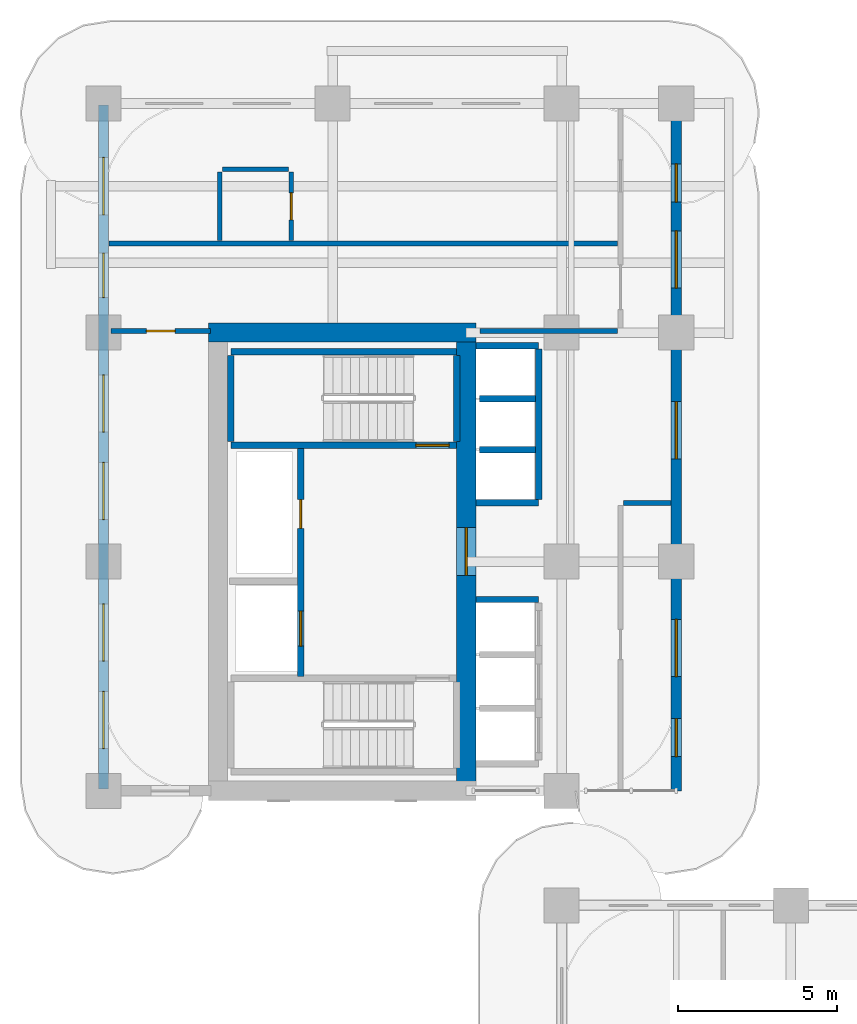
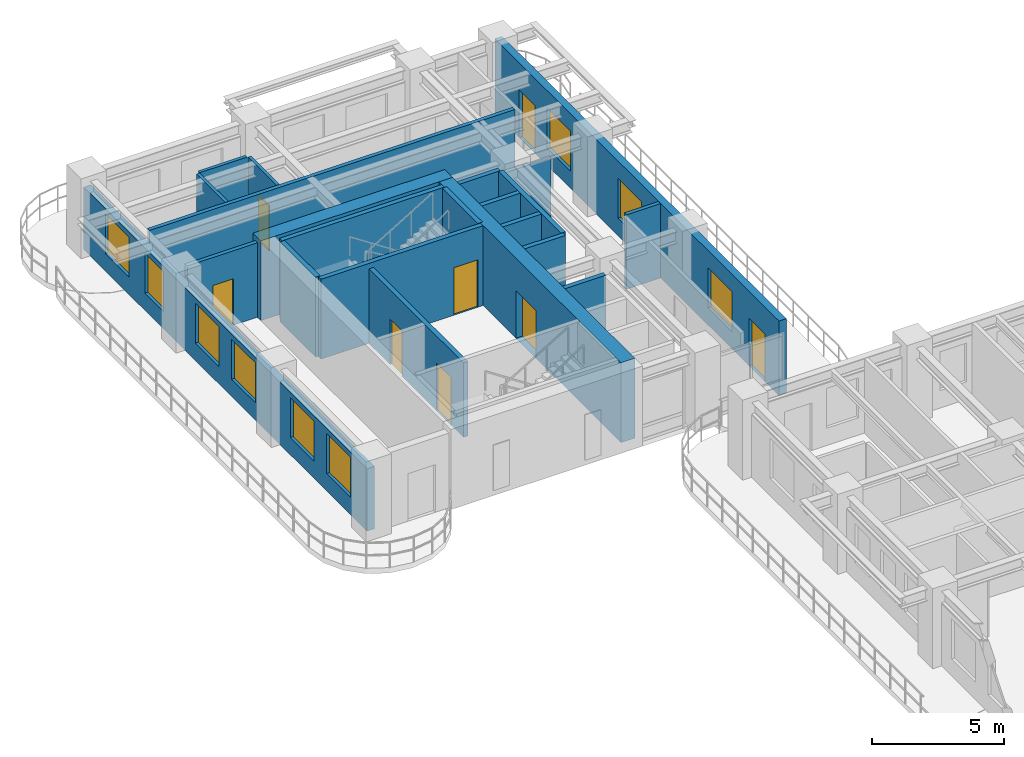
# One storey, part 11 of 19: 22 walls, 9 windows, 8 doors, 17 openings.
"""IFC4 building model written with IfcOpenShell, lengths in metres."""

from ifc_helpers import new_model, si_unit, derived_unit, direction, frame, frame_2d, origin, place, context, subcontext, project, spatial, rectangle, extrude, source, transform, mapped, material, layer, layer_set, type_object, type_shapes, element, fill, save


model = new_model("IFC4")

# Units and contexts
model_context = context("Model", 3, precision=1e-05, world=origin(), true_north=direction((0.0, 1.0)))
body_context = subcontext(model_context, "Body", "Model", "MODEL_VIEW")
ifc_project = project(units=[si_unit("LENGTHUNIT", "METRE"), si_unit("AREAUNIT", "SQUARE_METRE"), si_unit("VOLUMEUNIT", "CUBIC_METRE"), si_unit("PLANEANGLEUNIT", "RADIAN"), si_unit("MASSUNIT", "GRAM", prefix="KILO"), si_unit("THERMODYNAMICTEMPERATUREUNIT", "KELVIN"), si_unit("POWERUNIT", "WATT"), derived_unit("THERMALTRANSMITTANCEUNIT", [(si_unit("POWERUNIT", "WATT"), 1), (si_unit("AREAUNIT", "SQUARE_METRE"), -1), (si_unit("THERMODYNAMICTEMPERATUREUNIT", "KELVIN"), -1)])], contexts=[model_context])

# Site, building, storey
site_placement = place(None, origin())
site = spatial("IfcSite", under=ifc_project, at=site_placement, CompositionType="ELEMENT")
building_placement = place(site_placement, origin())
building = spatial("IfcBuilding", under=site, at=building_placement, Name="Zahravan Archway Hotel and Residences", CompositionType="ELEMENT")
storey_placement = place(building_placement, frame((0.0, 0.0, 47.199951171875)))
storey = spatial("IfcBuildingStorey", under=building, at=storey_placement, Name="L10", CompositionType="ELEMENT", Elevation=47.199951171875)

# Wall
ifc_material_1 = material(Name="Concrete C70/85", Category="concrete")
ifc_layer_1 = layer(ifc_material_1, 0.60009765625, Name="Concrete C70/85", Category="concrete")
ifc_layer_set_1 = layer_set([ifc_layer_1], Name="Concrete C70/85")
wall_type_1 = type_object("IfcWallType", Name="CW-CORE-600", PredefinedType="SHEAR", material=ifc_layer_set_1)
wall_1_placement = place(storey_placement, frame((3.300048828125, 39.60009765625, 0.0), z_axis=(0.0, 0.0, 1.0), x_axis=(1.0, 0.0, 0.0)))
element("IfcWall", 1, at=wall_1_placement, inside=storey, type_object=wall_type_1, Name="L10 Core B Shear N Wall 600 mm", PredefinedType="SHEAR", context=body_context, shape_type="SweptSolid", body=[
    extrude(rectangle(XDim=8.39990234375, YDim=0.60009765625, at=frame_2d((4.199951171875, 0.0))), origin(), (0.0, 0.0, 1.0), 3.699951171875),
])

# Wall, opening, door
wall_2_placement = place(storey_placement, frame((11.39990234375, 25.5, 0.0), z_axis=(0.0, 0.0, 1.0), x_axis=(0.0, 1.0, 0.0)))
wall_2 = element("IfcWall", 2, at=wall_2_placement, inside=storey, type_object=wall_type_1, Name="L10 Core B Shear E Wall 600 mm", PredefinedType="SHEAR", context=body_context, shape_type="SweptSolid", body=[
    extrude(rectangle(XDim=13.800048828125, YDim=0.60009765625, at=frame_2d((6.89990234375, 0.0))), origin(), (0.0, 0.0, 1.0), 3.699951171875),
])
opening_1_placement = place(wall_2_placement, frame((6.469970703125, 0.0, 0.0)))
opening_1 = element("IfcOpeningElement", 3, at=opening_1_placement, cuts=wall_2, Name="Opening FD-L1", PredefinedType="OPENING", context=body_context, shape_type="SweptSolid", body=[
    extrude(rectangle(XDim=1.5, YDim=2.199951171875, at=frame_2d((0.75, 1.10009765625))), frame((0.0, 0.31005859375, 0.0), z_axis=(0.0, -1.0, 0.0), x_axis=(1.0, 0.0, 0.0)), (0.0, 0.0, 1.0), 0.6201171875),
])
ifc_material_2 = material(Name="Fire-Rated Painted Steel", Category="steel")
door_type_1 = type_object("IfcDoorType", Name="FD-LOBBY-1500", OperationType="DOUBLE_DOOR_SINGLE_SWING", PredefinedType="DOOR", material=ifc_material_2)
shared_shape_1 = source(origin(), body_context, "Body", "SweptSolid", [
    extrude(rectangle(XDim=1.5, YDim=2.199951171875, at=frame_2d((0.75, 1.10009765625))), frame((0.0, 0.02490234375, 0.0), z_axis=(0.0, -1.0, 0.0), x_axis=(1.0, 0.0, 0.0)), (0.0, 0.0, 1.0), 0.050048828125),
])
type_shapes(door_type_1, [shared_shape_1])
door_1_placement = place(opening_1_placement, origin())
door_1 = element("IfcDoor", 4, at=door_1_placement, inside=storey, type_object=door_type_1, Name="L10 Core B FSAE Lobby Door", OperationType="DOUBLE_DOOR_SINGLE_SWING", OverallHeight=2.199951171875, OverallWidth=1.5, PredefinedType="DOOR", context=body_context, shape_type="MappedRepresentation", body=[
    mapped(shared_shape_1, transform((0.0, 0.0, 0.0), scale=1.0)),
])
fill(opening_1, door_1)

# Wall, openings, doors, windows
ifc_material_3 = material(Name="Agra Buff Sandstone & Insulated Backup", Category="masonry")
ifc_layer_2 = layer(ifc_material_3, 0.320068359375, Name="Agra Buff Sandstone & Insulated Backup", Category="masonry")
ifc_layer_set_2 = layer_set([ifc_layer_2], Name="Agra Buff Sandstone & Insulated Backup")
wall_type_2 = type_object("IfcWallType", Name="EW-SAND-320", PredefinedType="SOLIDWALL", material=ifc_layer_set_2)
wall_3_placement = place(storey_placement, frame((18.0, 25.199951171875, 0.0), z_axis=(0.0, 0.0, 1.0), x_axis=(0.0, 1.0, 0.0)))
wall_3 = element("IfcWall", 5, at=wall_3_placement, inside=storey, type_object=wall_type_2, Name="L10 Exterior Sandstone Wall WB-E", PredefinedType="SOLIDWALL", context=body_context, shape_type="SweptSolid", body=[
    extrude(rectangle(XDim=21.550048828125, YDim=0.320068359375, at=frame_2d((10.77490234375, 0.0))), origin(), (0.0, 0.0, 1.0), 3.449951171875),
])
opening_2_placement = place(wall_3_placement, frame((18.5, 0.0, 0.0)))
opening_2 = element("IfcOpeningElement", 6, at=opening_2_placement, cuts=wall_3, Name="Opening ED-BL1", PredefinedType="OPENING", context=body_context, shape_type="SweptSolid", body=[
    extrude(rectangle(XDim=1.199951171875, YDim=2.199951171875, at=frame_2d((0.60009765625, 1.10009765625))), frame((0.0, 0.169921875, 0.0), z_axis=(0.0, -1.0, 0.0), x_axis=(1.0, 0.0, 0.0)), (0.0, 0.0, 1.0), 0.340087890625),
])
opening_3_placement = place(wall_3_placement, frame((1.070068359375, 0.0, 0.0)))
opening_3 = element("IfcOpeningElement", 7, at=opening_3_placement, cuts=wall_3, Name="Opening ED-BL1", PredefinedType="OPENING", context=body_context, shape_type="SweptSolid", body=[
    extrude(rectangle(XDim=1.199951171875, YDim=2.199951171875, at=frame_2d((0.60009765625, 1.10009765625))), frame((0.0, 0.169921875, 0.0), z_axis=(0.0, -1.0, 0.0), x_axis=(1.0, 0.0, 0.0)), (0.0, 0.0, 1.0), 0.340087890625),
])
opening_4_placement = place(wall_3_placement, frame((3.5849609375, 0.0, 0.800048828125)))
opening_4 = element("IfcOpeningElement", 8, at=opening_4_placement, cuts=wall_3, Name="Opening W-02", PredefinedType="OPENING", context=body_context, shape_type="SweptSolid", body=[
    extrude(rectangle(XDim=1.800048828125, YDim=1.85009765625, at=frame_2d((0.89990234375, 0.925048828125))), frame((0.0, 0.169921875, 0.0), z_axis=(0.0, -1.0, 0.0), x_axis=(1.0, 0.0, 0.0)), (0.0, 0.0, 1.0), 0.340087890625),
])
opening_5_placement = place(wall_3_placement, frame((10.427978515625, 0.0, 0.800048828125)))
opening_5 = element("IfcOpeningElement", 9, at=opening_5_placement, cuts=wall_3, Name="Opening W-02", PredefinedType="OPENING", context=body_context, shape_type="SweptSolid", body=[
    extrude(rectangle(XDim=1.800048828125, YDim=1.85009765625, at=frame_2d((0.89990234375, 0.925048828125))), frame((0.0, 0.169921875, 0.0), z_axis=(0.0, -1.0, 0.0), x_axis=(1.0, 0.0, 0.0)), (0.0, 0.0, 1.0), 0.340087890625),
])
opening_6_placement = place(wall_3_placement, frame((15.800048828125, 0.0, 0.800048828125)))
opening_6 = element("IfcOpeningElement", 10, at=opening_6_placement, cuts=wall_3, Name="Opening W-02", PredefinedType="OPENING", context=body_context, shape_type="SweptSolid", body=[
    extrude(rectangle(XDim=1.800048828125, YDim=1.85009765625, at=frame_2d((0.89990234375, 0.925048828125))), frame((0.0, 0.169921875, 0.0), z_axis=(0.0, -1.0, 0.0), x_axis=(1.0, 0.0, 0.0)), (0.0, 0.0, 1.0), 0.340087890625),
])
ifc_material_4 = material(Name="Bronze-Anodized Glazed Aluminium", Category="aluminium")
door_type_2 = type_object("IfcDoorType", Name="ED-BALC-1200", OperationType="SLIDING_TO_LEFT", PredefinedType="DOOR", material=ifc_material_4)
shared_shape_2 = source(origin(), body_context, "Body", "SweptSolid", [
    extrude(rectangle(XDim=1.199951171875, YDim=2.199951171875, at=frame_2d((0.60009765625, 1.10009765625))), frame((0.0, 0.02490234375, 0.0), z_axis=(0.0, -1.0, 0.0), x_axis=(1.0, 0.0, 0.0)), (0.0, 0.0, 1.0), 0.050048828125),
])
type_shapes(door_type_2, [shared_shape_2])
door_2_placement = place(opening_2_placement, origin())
door_2 = element("IfcDoor", 11, at=door_2_placement, inside=storey, type_object=door_type_2, Name="L10 Outdoor Access Sliding Door (SLB-BAL-L10-NB)", OperationType="SLIDING_TO_LEFT", OverallHeight=2.199951171875, OverallWidth=1.199951171875, PredefinedType="DOOR", context=body_context, shape_type="MappedRepresentation", body=[
    mapped(shared_shape_2, transform((0.0, 0.0, 0.0), scale=1.0)),
])
fill(opening_2, door_2)
door_3_placement = place(opening_3_placement, origin())
door_3 = element("IfcDoor", 12, at=door_3_placement, inside=storey, type_object=door_type_2, Name="L10 Outdoor Access Sliding Door (SLB-BAL-L10-EB)", OperationType="SLIDING_TO_LEFT", OverallHeight=2.199951171875, OverallWidth=1.199951171875, PredefinedType="DOOR", context=body_context, shape_type="MappedRepresentation", body=[
    mapped(shared_shape_2, transform((0.0, 0.0, 0.0), scale=1.0)),
])
fill(opening_3, door_3)
ifc_material_5 = material(Name="Bronze-Anodized Thermal-Break Aluminium & Low-E Glass", Category="aluminium")
window_type_1 = type_object("IfcWindowType", Name="WIN-TWR-1800", PartitioningType="DOUBLE_PANEL_VERTICAL", PredefinedType="WINDOW", material=ifc_material_5)
shared_shape_3 = source(origin(), body_context, "Body", "SweptSolid", [
    extrude(rectangle(XDim=1.800048828125, YDim=1.85009765625, at=frame_2d((0.89990234375, 0.925048828125))), frame((0.0, 0.030029296875, 0.0), z_axis=(0.0, -1.0, 0.0), x_axis=(1.0, 0.0, 0.0)), (0.0, 0.0, 1.0), 0.06005859375),
])
type_shapes(window_type_1, [shared_shape_3])
window_1_placement = place(opening_4_placement, origin())
window_1 = element("IfcWindow", 13, at=window_1_placement, inside=storey, type_object=window_type_1, Name="L10 Loggia Window 35", OverallHeight=1.85009765625, OverallWidth=1.800048828125, PartitioningType="DOUBLE_PANEL_VERTICAL", PredefinedType="WINDOW", context=body_context, shape_type="MappedRepresentation", body=[
    mapped(shared_shape_3, transform((0.0, 0.0, 0.0), scale=1.0)),
])
fill(opening_4, window_1)
window_2_placement = place(opening_5_placement, origin())
window_2 = element("IfcWindow", 14, at=window_2_placement, inside=storey, type_object=window_type_1, Name="L10 Loggia Window 36", OverallHeight=1.85009765625, OverallWidth=1.800048828125, PartitioningType="DOUBLE_PANEL_VERTICAL", PredefinedType="WINDOW", context=body_context, shape_type="MappedRepresentation", body=[
    mapped(shared_shape_3, transform((0.0, 0.0, 0.0), scale=1.0)),
])
fill(opening_5, window_2)
window_3_placement = place(opening_6_placement, origin())
window_3 = element("IfcWindow", 15, at=window_3_placement, inside=storey, type_object=window_type_1, Name="L10 Loggia Window 37", OverallHeight=1.85009765625, OverallWidth=1.800048828125, PartitioningType="DOUBLE_PANEL_VERTICAL", PredefinedType="WINDOW", context=body_context, shape_type="MappedRepresentation", body=[
    mapped(shared_shape_3, transform((0.0, 0.0, 0.0), scale=1.0)),
])
fill(opening_6, window_3)

# Wall, openings, windows
wall_4_placement = place(storey_placement, frame((0.0, 25.25, 0.0), z_axis=(0.0, 0.0, 1.0), x_axis=(0.0, 1.0, 0.0)))
wall_4 = element("IfcWall", 16, at=wall_4_placement, inside=storey, type_object=wall_type_2, Name="L10 Exterior Sandstone Wall WB-W", PredefinedType="SOLIDWALL", context=body_context, shape_type="SweptSolid", body=[
    extrude(rectangle(XDim=21.5, YDim=0.320068359375, at=frame_2d((10.75, 0.0))), origin(), (0.0, 0.0, 1.0), 2.885009765625),
])
opening_7_placement = place(wall_4_placement, frame((1.27490234375, 0.0, 0.800048828125)))
opening_7 = element("IfcOpeningElement", 17, at=opening_7_placement, cuts=wall_4, Name="Opening W-02", PredefinedType="OPENING", context=body_context, shape_type="SweptSolid", body=[
    extrude(rectangle(XDim=1.800048828125, YDim=1.85009765625, at=frame_2d((0.89990234375, 0.925048828125))), frame((0.0, 0.169921875, 0.0), z_axis=(0.0, -1.0, 0.0), x_axis=(1.0, 0.0, 0.0)), (0.0, 0.0, 1.0), 0.340087890625),
])
opening_8_placement = place(wall_4_placement, frame((4.02490234375, 0.0, 0.800048828125)))
opening_8 = element("IfcOpeningElement", 18, at=opening_8_placement, cuts=wall_4, Name="Opening W-02", PredefinedType="OPENING", context=body_context, shape_type="SweptSolid", body=[
    extrude(rectangle(XDim=1.800048828125, YDim=1.85009765625, at=frame_2d((0.89990234375, 0.925048828125))), frame((0.0, 0.169921875, 0.0), z_axis=(0.0, -1.0, 0.0), x_axis=(1.0, 0.0, 0.0)), (0.0, 0.0, 1.0), 0.340087890625),
])
opening_9_placement = place(wall_4_placement, frame((8.47509765625, 0.0, 0.800048828125)))
opening_9 = element("IfcOpeningElement", 19, at=opening_9_placement, cuts=wall_4, Name="Opening W-02", PredefinedType="OPENING", context=body_context, shape_type="SweptSolid", body=[
    extrude(rectangle(XDim=1.800048828125, YDim=1.85009765625, at=frame_2d((0.89990234375, 0.925048828125))), frame((0.0, 0.169921875, 0.0), z_axis=(0.0, -1.0, 0.0), x_axis=(1.0, 0.0, 0.0)), (0.0, 0.0, 1.0), 0.340087890625),
])
opening_10_placement = place(wall_4_placement, frame((11.22509765625, 0.0, 0.800048828125)))
opening_10 = element("IfcOpeningElement", 20, at=opening_10_placement, cuts=wall_4, Name="Opening W-02", PredefinedType="OPENING", context=body_context, shape_type="SweptSolid", body=[
    extrude(rectangle(XDim=1.800048828125, YDim=1.85009765625, at=frame_2d((0.89990234375, 0.925048828125))), frame((0.0, 0.169921875, 0.0), z_axis=(0.0, -1.0, 0.0), x_axis=(1.0, 0.0, 0.0)), (0.0, 0.0, 1.0), 0.340087890625),
])
opening_11_placement = place(wall_4_placement, frame((15.447021484375, 0.0, 0.800048828125)))
opening_11 = element("IfcOpeningElement", 21, at=opening_11_placement, cuts=wall_4, Name="Opening W-03", PredefinedType="OPENING", context=body_context, shape_type="SweptSolid", body=[
    extrude(rectangle(XDim=1.39990234375, YDim=1.85009765625, at=frame_2d((0.699951171875, 0.925048828125))), frame((0.0, 0.169921875, 0.0), z_axis=(0.0, -1.0, 0.0), x_axis=(1.0, 0.0, 0.0)), (0.0, 0.0, 1.0), 0.340087890625),
])
opening_12_placement = place(wall_4_placement, frame((18.052978515625, 0.0, 0.800048828125)))
opening_12 = element("IfcOpeningElement", 22, at=opening_12_placement, cuts=wall_4, Name="Opening W-02", PredefinedType="OPENING", context=body_context, shape_type="SweptSolid", body=[
    extrude(rectangle(XDim=1.800048828125, YDim=1.85009765625, at=frame_2d((0.89990234375, 0.925048828125))), frame((0.0, 0.169921875, 0.0), z_axis=(0.0, -1.0, 0.0), x_axis=(1.0, 0.0, 0.0)), (0.0, 0.0, 1.0), 0.340087890625),
])
window_type_2 = type_object("IfcWindowType", Name="WIN-TWR-1400", PartitioningType="SINGLE_PANEL", PredefinedType="WINDOW", material=ifc_material_5)
shared_shape_4 = source(origin(), body_context, "Body", "SweptSolid", [
    extrude(rectangle(XDim=1.39990234375, YDim=1.85009765625, at=frame_2d((0.699951171875, 0.925048828125))), frame((0.0, 0.030029296875, 0.0), z_axis=(0.0, -1.0, 0.0), x_axis=(1.0, 0.0, 0.0)), (0.0, 0.0, 1.0), 0.06005859375),
])
type_shapes(window_type_2, [shared_shape_4])
window_4_placement = place(opening_11_placement, origin())
window_4 = element("IfcWindow", 23, at=window_4_placement, inside=storey, type_object=window_type_2, Name="L10 Loggia Window 46", OverallHeight=1.85009765625, OverallWidth=1.39990234375, PartitioningType="SINGLE_PANEL", PredefinedType="WINDOW", context=body_context, shape_type="MappedRepresentation", body=[
    mapped(shared_shape_4, transform((0.0, 0.0, 0.0), scale=1.0)),
])
fill(opening_11, window_4)
window_5_placement = place(opening_7_placement, origin())
window_5 = element("IfcWindow", 24, at=window_5_placement, inside=storey, type_object=window_type_1, Name="L10 Loggia Window 42", OverallHeight=1.85009765625, OverallWidth=1.800048828125, PartitioningType="DOUBLE_PANEL_VERTICAL", PredefinedType="WINDOW", context=body_context, shape_type="MappedRepresentation", body=[
    mapped(shared_shape_3, transform((0.0, 0.0, 0.0), scale=1.0)),
])
fill(opening_7, window_5)
window_6_placement = place(opening_8_placement, origin())
window_6 = element("IfcWindow", 25, at=window_6_placement, inside=storey, type_object=window_type_1, Name="L10 Loggia Window 43", OverallHeight=1.85009765625, OverallWidth=1.800048828125, PartitioningType="DOUBLE_PANEL_VERTICAL", PredefinedType="WINDOW", context=body_context, shape_type="MappedRepresentation", body=[
    mapped(shared_shape_3, transform((0.0, 0.0, 0.0), scale=1.0)),
])
fill(opening_8, window_6)
window_7_placement = place(opening_9_placement, origin())
window_7 = element("IfcWindow", 26, at=window_7_placement, inside=storey, type_object=window_type_1, Name="L10 Loggia Window 44", OverallHeight=1.85009765625, OverallWidth=1.800048828125, PartitioningType="DOUBLE_PANEL_VERTICAL", PredefinedType="WINDOW", context=body_context, shape_type="MappedRepresentation", body=[
    mapped(shared_shape_3, transform((0.0, 0.0, 0.0), scale=1.0)),
])
fill(opening_9, window_7)
window_8_placement = place(opening_10_placement, origin())
window_8 = element("IfcWindow", 27, at=window_8_placement, inside=storey, type_object=window_type_1, Name="L10 Loggia Window 45", OverallHeight=1.85009765625, OverallWidth=1.800048828125, PartitioningType="DOUBLE_PANEL_VERTICAL", PredefinedType="WINDOW", context=body_context, shape_type="MappedRepresentation", body=[
    mapped(shared_shape_3, transform((0.0, 0.0, 0.0), scale=1.0)),
])
fill(opening_10, window_8)
window_9_placement = place(opening_12_placement, origin())
window_9 = element("IfcWindow", 28, at=window_9_placement, inside=storey, type_object=window_type_1, Name="L10 Loggia Window 47", OverallHeight=1.85009765625, OverallWidth=1.800048828125, PartitioningType="DOUBLE_PANEL_VERTICAL", PredefinedType="WINDOW", context=body_context, shape_type="MappedRepresentation", body=[
    mapped(shared_shape_3, transform((0.0, 0.0, 0.0), scale=1.0)),
])
fill(opening_12, window_9)

# Walls
ifc_material_6 = material(Name="Fire-Rated Gypsum & Concrete Block", Category="concrete")
ifc_layer_3 = layer(ifc_material_6, 0.159912109375, Name="Fire-Rated Gypsum & Concrete Block", Category="concrete")
ifc_layer_set_3 = layer_set([ifc_layer_3], Name="Fire-Rated Gypsum & Concrete Block")
wall_type_3 = type_object("IfcWallType", Name="PW-CORR-160", PredefinedType="PARTITIONING", material=ifc_layer_set_3)
wall_5_placement = place(storey_placement, frame((16.340087890625, 34.25, 0.0), z_axis=(0.0, 0.0, 1.0), x_axis=(1.0, 0.0, 0.0)))
element("IfcWall", 29, at=wall_5_placement, inside=storey, type_object=wall_type_3, Name="L10 Partition WB-CS", PredefinedType="PARTITIONING", context=body_context, shape_type="SweptSolid", body=[
    extrude(rectangle(XDim=1.491943359375, YDim=0.159912109375, at=frame_2d((0.74609375, 0.0))), origin(), (0.0, 0.0, 1.0), 3.449951171875),
])
wall_6_placement = place(storey_placement, frame((11.840087890625, 39.64990234375, 0.0), z_axis=(0.0, 0.0, 1.0), x_axis=(1.0, 0.0, 0.0)))
element("IfcWall", 30, at=wall_6_placement, inside=storey, type_object=wall_type_3, Name="L10 Partition WB-NS2", PredefinedType="PARTITIONING", context=body_context, shape_type="SweptSolid", body=[
    extrude(rectangle(XDim=4.31982421875, YDim=0.159912109375, at=frame_2d((2.159912109375, 0.0))), origin(), (0.0, 0.0, 1.0), 2.885009765625),
])

# Wall, openings, doors
ifc_layer_4 = layer(ifc_material_6, 0.199951171875, Name="Fire-Rated Gypsum & Concrete Block", Category="concrete")
ifc_layer_set_4 = layer_set([ifc_layer_4], Name="Fire-Rated Gypsum & Concrete Block")
wall_type_4 = type_object("IfcWallType", Name="PW-SHAFT-200", PredefinedType="PARTITIONING", material=ifc_layer_set_4)
wall_7_placement = place(storey_placement, frame((6.199951171875, 28.7900390625, 0.0), z_axis=(0.0, 0.0, 1.0), x_axis=(0.0, 1.0, 0.0)))
wall_7 = element("IfcWall", 31, at=wall_7_placement, inside=storey, type_object=wall_type_4, Name="L10 Partition CB-FL3E", PredefinedType="PARTITIONING", context=body_context, shape_type="SweptSolid", body=[
    extrude(rectangle(XDim=7.219970703125, YDim=0.199951171875, at=frame_2d((3.60986328125, 0.0))), origin(), (0.0, 0.0, 1.0), 3.449951171875),
])
opening_13_placement = place(wall_7_placement, frame((4.659912109375, 0.0, 0.0)))
opening_13 = element("IfcOpeningElement", 32, at=opening_13_placement, cuts=wall_7, Name="Opening FD-R1", PredefinedType="OPENING", context=body_context, shape_type="SweptSolid", body=[
    extrude(rectangle(XDim=0.89990234375, YDim=2.10009765625, at=frame_2d((0.449951171875, 1.050048828125))), frame((0.0, 0.10986328125, 0.0), z_axis=(0.0, -1.0, 0.0), x_axis=(1.0, 0.0, 0.0)), (0.0, 0.0, 1.0), 0.219970703125),
])
opening_14_placement = place(wall_7_placement, frame((0.9599609375, 0.0, 0.0)))
opening_14 = element("IfcOpeningElement", 33, at=opening_14_placement, cuts=wall_7, Name="Opening LD", PredefinedType="OPENING", context=body_context, shape_type="SweptSolid", body=[
    extrude(rectangle(XDim=1.10009765625, YDim=2.199951171875, at=frame_2d((0.550048828125, 1.10009765625))), frame((0.0, 0.10986328125, 0.0), z_axis=(0.0, -1.0, 0.0), x_axis=(1.0, 0.0, 0.0)), (0.0, 0.0, 1.0), 0.219970703125),
])
door_type_3 = type_object("IfcDoorType", Name="FD-RISER-900", OperationType="NOTDEFINED", PredefinedType="DOOR", material=ifc_material_2)
shared_shape_5 = source(origin(), body_context, "Body", "SweptSolid", [
    extrude(rectangle(XDim=0.89990234375, YDim=2.10009765625, at=frame_2d((0.449951171875, 1.050048828125))), frame((0.0, 0.02490234375, 0.0), z_axis=(0.0, -1.0, 0.0), x_axis=(1.0, 0.0, 0.0)), (0.0, 0.0, 1.0), 0.050048828125),
])
type_shapes(door_type_3, [shared_shape_5])
door_4_placement = place(opening_13_placement, origin())
door_4 = element("IfcDoor", 34, at=door_4_placement, inside=storey, type_object=door_type_3, Name="L10 Core B Riser Door", OperationType="SINGLE_SWING_RIGHT", OverallHeight=2.10009765625, OverallWidth=0.89990234375, PredefinedType="DOOR", context=body_context, shape_type="MappedRepresentation", body=[
    mapped(shared_shape_5, transform((0.0, 0.0, 0.0), scale=1.0)),
])
fill(opening_13, door_4)
ifc_material_7 = material(Name="Brushed Stainless Steel", Category="steel")
door_type_4 = type_object("IfcDoorType", Name="DR-LIFT-LD", OperationType="SLIDING_TO_LEFT", PredefinedType="DOOR", material=ifc_material_7)
shared_shape_6 = source(origin(), body_context, "Body", "SweptSolid", [
    extrude(rectangle(XDim=1.10009765625, YDim=2.199951171875, at=frame_2d((0.550048828125, 1.10009765625))), frame((0.0, 0.02490234375, 0.0), z_axis=(0.0, -1.0, 0.0), x_axis=(1.0, 0.0, 0.0)), (0.0, 0.0, 1.0), 0.050048828125),
])
type_shapes(door_type_4, [shared_shape_6])
door_5_placement = place(opening_14_placement, origin())
door_5 = element("IfcDoor", 35, at=door_5_placement, inside=storey, type_object=door_type_4, Name="L10 Lift FL-3 Sliding Landing Door", OperationType="SLIDING_TO_LEFT", OverallHeight=2.199951171875, OverallWidth=1.10009765625, PredefinedType="DOOR", context=body_context, shape_type="MappedRepresentation", body=[
    mapped(shared_shape_6, transform((0.0, 0.0, 0.0), scale=1.0)),
])
fill(opening_14, door_5)

# Walls
for number, where, z_axis, x_axis, name in (
    (36, (11.7099609375, 31.2099609375, 0.0), (0.0, 0.0, 1.0), (1.0, 0.0, 0.0), "L10 Partition B1-N"),
    (37, (11.7099609375, 34.25, 0.0), (0.0, 0.0, 1.0), (1.0, 0.0, 0.0), "L10 Partition B2-S"),
    (38, (11.7099609375, 39.18994140625, 0.0), (0.0, 0.0, 1.0), (1.0, 0.0, 0.0), "L10 Partition B2-N"),
):
    element("IfcWall", number, at=place(storey_placement, frame(where, z_axis=z_axis, x_axis=x_axis)), inside=storey, type_object=wall_type_4, Name=name, PredefinedType="PARTITIONING", context=body_context, shape_type="SweptSolid", body=[
        extrude(rectangle(XDim=1.9599609375, YDim=0.199951171875, at=frame_2d((0.97998046875, 0.0))), origin(), (0.0, 0.0, 1.0), 3.449951171875),
    ])
wall_8_placement = place(storey_placement, frame((13.679931640625, 34.360107421875, 0.0), z_axis=(0.0, 0.0, 1.0), x_axis=(0.0, 1.0, 0.0)))
element("IfcWall", 39, at=wall_8_placement, inside=storey, type_object=wall_type_4, Name="L10 Partition B2-E", PredefinedType="PARTITIONING", context=body_context, shape_type="SweptSolid", body=[
    extrude(rectangle(XDim=4.719970703125, YDim=0.199951171875, at=frame_2d((2.35986328125, 0.0))), origin(), (0.0, 0.0, 1.0), 3.449951171875),
])
for number, where, z_axis, x_axis, name in (
    (40, (11.81005859375, 35.919921875, 0.0), (0.0, 0.0, 1.0), (1.0, 0.0, 0.0), "L10 Partition B2-D"),
    (41, (11.81005859375, 37.52001953125, 0.0), (0.0, 0.0, 1.0), (1.0, 0.0, 0.0), "L10 Partition B2-D"),
):
    element("IfcWall", number, at=place(storey_placement, frame(where, z_axis=z_axis, x_axis=x_axis)), inside=storey, type_object=wall_type_4, Name=name, PredefinedType="PARTITIONING", context=body_context, shape_type="SweptSolid", body=[
        extrude(rectangle(XDim=1.760009765625, YDim=0.199951171875, at=frame_2d((0.8798828125, 0.0))), origin(), (0.0, 0.0, 1.0), 3.449951171875),
    ])

# Wall, opening, door
ifc_material_8 = material(Name="Acoustic Stud Partition")
ifc_layer_5 = layer(ifc_material_8, 0.169921875, Name="Acoustic Stud Partition")
ifc_layer_set_5 = layer_set([ifc_layer_5], Name="Acoustic Stud Partition")
wall_type_5 = type_object("IfcWallType", Name="PW-UNIT-170", PredefinedType="PARTITIONING", material=ifc_layer_set_5)
wall_9_placement = place(storey_placement, frame((0.239990234375, 39.64990234375, 0.0), z_axis=(0.0, 0.0, 1.0), x_axis=(1.0, 0.0, 0.0)))
wall_9 = element("IfcWall", 42, at=wall_9_placement, inside=storey, type_object=wall_type_5, Name="L10 Partition WB-NS", PredefinedType="PARTITIONING", context=body_context, shape_type="SweptSolid", body=[
    extrude(rectangle(XDim=3.1201171875, YDim=0.169921875, at=frame_2d((1.56005859375, 0.0))), origin(), (0.0, 0.0, 1.0), 3.449951171875),
])
opening_15_placement = place(wall_9_placement, frame((1.110107421875, 0.0, 0.0)))
opening_15 = element("IfcOpeningElement", 43, at=opening_15_placement, cuts=wall_9, Name="Opening D-I2", PredefinedType="OPENING", context=body_context, shape_type="SweptSolid", body=[
    extrude(rectangle(XDim=0.89990234375, YDim=2.14990234375, at=frame_2d((0.449951171875, 1.074951171875))), frame((0.0, 0.094970703125, 0.0), z_axis=(0.0, -1.0, 0.0), x_axis=(1.0, 0.0, 0.0)), (0.0, 0.0, 1.0), 0.18994140625),
])
ifc_material_9 = material(Name="Hardwood Veneer Timber", Category="wood")
door_type_5 = type_object("IfcDoorType", Name="ID-INT-900", OperationType="NOTDEFINED", PredefinedType="DOOR", material=ifc_material_9)
shared_shape_7 = source(origin(), body_context, "Body", "SweptSolid", [
    extrude(rectangle(XDim=0.89990234375, YDim=2.14990234375, at=frame_2d((0.449951171875, 1.074951171875))), frame((0.0, 0.02490234375, 0.0), z_axis=(0.0, -1.0, 0.0), x_axis=(1.0, 0.0, 0.0)), (0.0, 0.0, 1.0), 0.050048828125),
])
type_shapes(door_type_5, [shared_shape_7])
door_6_placement = place(opening_15_placement, origin())
door_6 = element("IfcDoor", 44, at=door_6_placement, inside=storey, type_object=door_type_5, Name="L10 Wing B West Loggia Salon Door", OperationType="SINGLE_SWING_RIGHT", OverallHeight=2.14990234375, OverallWidth=0.89990234375, PredefinedType="DOOR", context=body_context, shape_type="MappedRepresentation", body=[
    mapped(shared_shape_7, transform((0.0, 0.0, 0.0), scale=1.0)),
])
fill(opening_15, door_6)

# Walls
wall_10_placement = place(storey_placement, frame((0.16796875, 42.39990234375, 0.0), z_axis=(0.0, 0.0, 1.0), x_axis=(1.0, 0.0, 0.0)))
element("IfcWall", 45, at=wall_10_placement, inside=storey, type_object=wall_type_5, Name="L10 Partition WB-NH2", PredefinedType="PARTITIONING", context=body_context, shape_type="SweptSolid", body=[
    extrude(rectangle(XDim=15.991943359375, YDim=0.169921875, at=frame_2d((7.99609375, 0.0))), origin(), (0.0, 0.0, 1.0), 3.449951171875),
])
ifc_material_10 = material(Name="Moisture-Resistant Blockwork", Category="masonry")
ifc_layer_6 = layer(ifc_material_10, 0.139892578125, Name="Moisture-Resistant Blockwork", Category="masonry")
ifc_layer_set_6 = layer_set([ifc_layer_6], Name="Moisture-Resistant Blockwork")
wall_type_6 = type_object("IfcWallType", Name="PW-WET-140", PredefinedType="PARTITIONING", material=ifc_layer_set_6)
wall_11_placement = place(storey_placement, frame((3.64990234375, 42.489990234375, 0.0), z_axis=(0.0, 0.0, 1.0), x_axis=(0.0, 1.0, 0.0)))
element("IfcWall", 46, at=wall_11_placement, inside=storey, type_object=wall_type_6, Name="L10 Partition HKB-VL63", PredefinedType="PARTITIONING", context=body_context, shape_type="SweptSolid", body=[
    extrude(rectangle(XDim=2.157958984375, YDim=0.139892578125, at=frame_2d((1.0791015625, 0.0))), origin(), (0.0, 0.0, 1.0), 3.449951171875),
])
wall_12_placement = place(storey_placement, frame((3.739990234375, 44.738037109375, 0.0), z_axis=(0.0, 0.0, 1.0), x_axis=(1.0, 0.0, 0.0)))
element("IfcWall", 47, at=wall_12_placement, inside=storey, type_object=wall_type_6, Name="L10 Partition HKB-H63", PredefinedType="PARTITIONING", context=body_context, shape_type="SweptSolid", body=[
    extrude(rectangle(XDim=2.070068359375, YDim=0.139892578125, at=frame_2d((1.03515625, 0.0))), origin(), (0.0, 0.0, 1.0), 3.449951171875),
])

# Wall, opening, door
wall_13_placement = place(storey_placement, frame((5.89990234375, 42.489990234375, 0.0), z_axis=(0.0, 0.0, 1.0), x_axis=(0.0, 1.0, 0.0)))
wall_13 = element("IfcWall", 48, at=wall_13_placement, inside=storey, type_object=wall_type_6, Name="L10 Partition HKB-V63", PredefinedType="PARTITIONING", context=body_context, shape_type="SweptSolid", body=[
    extrude(rectangle(XDim=2.157958984375, YDim=0.139892578125, at=frame_2d((1.0791015625, 0.0))), origin(), (0.0, 0.0, 1.0), 3.449951171875),
])
opening_16_placement = place(wall_13_placement, frame((0.654052734375, 0.0, 0.0)))
opening_16 = element("IfcOpeningElement", 49, at=opening_16_placement, cuts=wall_13, Name="Opening D-B1", PredefinedType="OPENING", context=body_context, shape_type="SweptSolid", body=[
    extrude(rectangle(XDim=0.85009765625, YDim=2.10009765625, at=frame_2d((0.425048828125, 1.050048828125))), frame((0.0, 0.080078125, 0.0), z_axis=(0.0, -1.0, 0.0), x_axis=(1.0, 0.0, 0.0)), (0.0, 0.0, 1.0), 0.159912109375),
])
door_type_6 = type_object("IfcDoorType", Name="ID-BATH-850", OperationType="NOTDEFINED", PredefinedType="DOOR", material=ifc_material_9)
shared_shape_8 = source(origin(), body_context, "Body", "SweptSolid", [
    extrude(rectangle(XDim=0.85009765625, YDim=2.10009765625, at=frame_2d((0.425048828125, 1.050048828125))), frame((0.0, 0.02490234375, 0.0), z_axis=(0.0, -1.0, 0.0), x_axis=(1.0, 0.0, 0.0)), (0.0, 0.0, 1.0), 0.050048828125),
])
type_shapes(door_type_6, [shared_shape_8])
door_7_placement = place(opening_16_placement, origin())
door_7 = element("IfcDoor", 50, at=door_7_placement, inside=storey, type_object=door_type_6, Name="L10 Guestroom 63 En-Suite Door", OperationType="SINGLE_SWING_LEFT", OverallHeight=2.10009765625, OverallWidth=0.85009765625, PredefinedType="DOOR", context=body_context, shape_type="MappedRepresentation", body=[
    mapped(shared_shape_8, transform((0.0, 0.0, 0.0), scale=1.0)),
])
fill(opening_16, door_7)

# Walls
ifc_material_11 = material(Name="Concrete C50/60", Category="concrete")
ifc_layer_7 = layer(ifc_material_11, 0.199951171875, Name="Concrete C50/60", Category="concrete")
ifc_layer_set_7 = layer_set([ifc_layer_7], Name="Concrete C50/60")
wall_type_7 = type_object("IfcWallType", Name="SW-STAIR-200", PredefinedType="SHEAR", material=ifc_layer_set_7)
wall_14_placement = place(storey_placement, frame((4.0, 39.0, 0.0), z_axis=(0.0, 0.0, 1.0), x_axis=(1.0, 0.0, 0.0)))
element("IfcWall", 51, at=wall_14_placement, inside=storey, type_object=wall_type_7, Name="L10 Stairwell RC Wall CB-SB2N", PredefinedType="SHEAR", context=body_context, shape_type="SweptSolid", body=[
    extrude(rectangle(XDim=7.10009765625, YDim=0.199951171875, at=frame_2d((3.550048828125, 0.0))), origin(), (0.0, 0.0, 1.0), 3.699951171875),
])
for number, where, z_axis, x_axis, name in (
    (52, (4.0, 36.179931640625, 0.0), (0.0, 0.0, 1.0), (0.0, 1.0, 0.0), "L10 Stairwell RC Wall CB-SB2W"),
    (53, (11.10009765625, 36.179931640625, 0.0), (0.0, 0.0, 1.0), (0.0, 1.0, 0.0), "L10 Stairwell RC Wall CB-SB2E"),
):
    element("IfcWall", number, at=place(storey_placement, frame(where, z_axis=z_axis, x_axis=x_axis)), inside=storey, type_object=wall_type_7, Name=name, PredefinedType="SHEAR", context=body_context, shape_type="SweptSolid", body=[
        extrude(rectangle(XDim=2.699951171875, YDim=0.199951171875, at=frame_2d((1.35009765625, 0.0))), origin(), (0.0, 0.0, 1.0), 3.699951171875),
    ])

# Wall, opening, door
wall_15_placement = place(storey_placement, frame((4.0, 36.06005859375, 0.0), z_axis=(0.0, 0.0, 1.0), x_axis=(1.0, 0.0, 0.0)))
wall_15 = element("IfcWall", 54, at=wall_15_placement, inside=storey, type_object=wall_type_7, Name="L10 Stairwell RC Wall CB-SB2S", PredefinedType="SHEAR", context=body_context, shape_type="SweptSolid", body=[
    extrude(rectangle(XDim=7.10009765625, YDim=0.199951171875, at=frame_2d((3.550048828125, 0.0))), origin(), (0.0, 0.0, 1.0), 3.699951171875),
])
opening_17_placement = place(wall_15_placement, frame((5.81494140625, 0.0, 0.0)))
opening_17 = element("IfcOpeningElement", 55, at=opening_17_placement, cuts=wall_15, Name="Opening FD-S1", PredefinedType="OPENING", context=body_context, shape_type="SweptSolid", body=[
    extrude(rectangle(XDim=1.050048828125, YDim=2.199951171875, at=frame_2d((0.52490234375, 1.10009765625))), frame((0.0, 0.10986328125, 0.0), z_axis=(0.0, -1.0, 0.0), x_axis=(1.0, 0.0, 0.0)), (0.0, 0.0, 1.0), 0.219970703125),
])
door_type_7 = type_object("IfcDoorType", Name="FD-STAIR-1100", OperationType="NOTDEFINED", PredefinedType="DOOR", material=ifc_material_2)
shared_shape_9 = source(origin(), body_context, "Body", "SweptSolid", [
    extrude(rectangle(XDim=1.050048828125, YDim=2.199951171875, at=frame_2d((0.52490234375, 1.10009765625))), frame((0.0, 0.02490234375, 0.0), z_axis=(0.0, -1.0, 0.0), x_axis=(1.0, 0.0, 0.0)), (0.0, 0.0, 1.0), 0.050048828125),
])
type_shapes(door_type_7, [shared_shape_9])
door_8_placement = place(opening_17_placement, origin())
door_8 = element("IfcDoor", 56, at=door_8_placement, inside=storey, type_object=door_type_7, Name="L10 Stair ST-B2 Door", OperationType="SINGLE_SWING_LEFT", OverallHeight=2.199951171875, OverallWidth=1.050048828125, PredefinedType="DOOR", context=body_context, shape_type="MappedRepresentation", body=[
    mapped(shared_shape_9, transform((0.0, 0.0, 0.0), scale=1.0)),
])
fill(opening_17, door_8)

save(model, "model.ifc")
